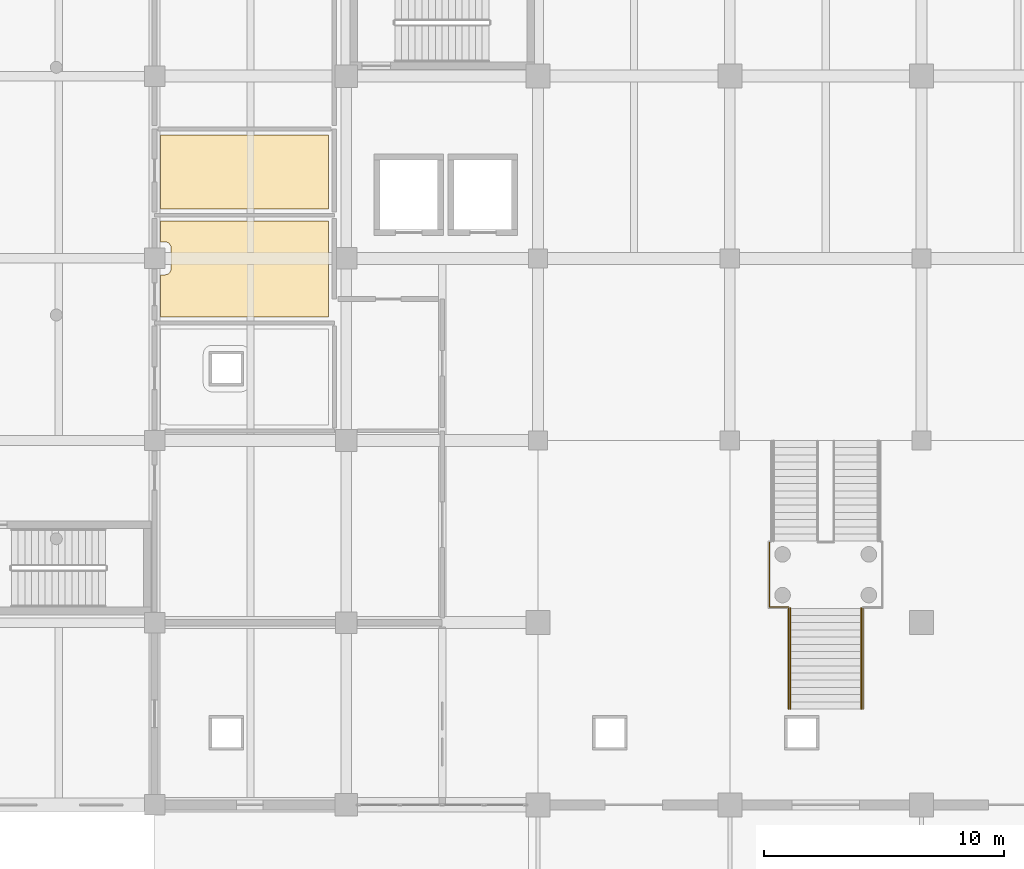
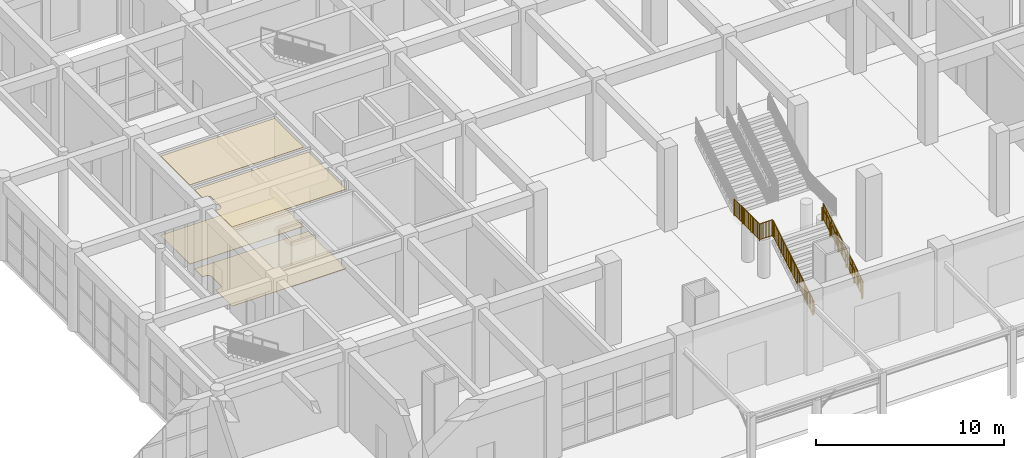
# One storey, part 88 of 95: 5 railings, 4 coverings.
"""IFC4 building model written with IfcOpenShell, lengths in metres."""

import ifcopenshell
import ifcopenshell.guid

model = None  # the IFC model being written
_history = None  # IfcOwnerHistory: only IFC2X3 demands one
_inside = {}  # id of a spatial element -> (the spatial element, [elements in it])
_under = {}  # id of a project, library or spatial element -> (it, [spatial elements below it])
_declared = {}  # id of a project -> (the project, [libraries it declares])
_typed = {}  # id of a type object -> (the type object, [elements of that type])
_made_of = {}  # id of a material, layer set ... -> (it, [elements and type objects made of it])


def new_model(schema):
    """Start an empty IFC model of exactly this schema.

    Asked for "IFC4X3", IfcOpenShell would pick the latest addendum, in which some entities
    have other attributes; the version numbers below select the first issue.
    IFC2X3 requires an IfcOwnerHistory on every rooted entity: one is made here for all.
    """
    global model, _history
    if schema == "IFC4X3":
        model = ifcopenshell.file(schema_version=(4, 3, 0, 0))
    else:
        model = ifcopenshell.file(schema=schema)
    _inside.clear()
    _under.clear()
    _declared.clear()
    _typed.clear()
    _made_of.clear()
    _history = None
    if model.schema == "IFC2X3":
        org = make("IfcOrganization", Name="unknown")
        user = make(
            "IfcPersonAndOrganization",
            ThePerson=make("IfcPerson", FamilyName="unknown"),
            TheOrganization=org,
        )
        app = make(
            "IfcApplication",
            ApplicationDeveloper=org,
            Version="unknown",
            ApplicationFullName="unknown",
            ApplicationIdentifier="unknown",
        )
        _history = make(
            "IfcOwnerHistory",
            OwningUser=user,
            OwningApplication=app,
            ChangeAction="ADDED",
            CreationDate=0,
        )
    return model


def make(cls, **values):
    """One entity of the class cls with the attributes given. An attribute that is None is left unset."""
    return model.create_entity(
        cls, **{name: value for name, value in values.items() if value is not None}
    )


def rooted(cls, **values):
    """An entity with a GlobalId (a new one), such as an element, a storey or a relation."""
    return make(cls, GlobalId=ifcopenshell.guid.new(), OwnerHistory=_history, **values)


def si_unit(unit_type, name, prefix=None):
    """IfcSIUnit, for example si_unit("LENGTHUNIT", "METRE", prefix="MILLI")."""
    return make("IfcSIUnit", UnitType=unit_type, Prefix=prefix, Name=name)


def assignment(units):
    """IfcUnitAssignment: the units of a project."""
    return None if units is None else make("IfcUnitAssignment", Units=units)


def point(xyz):
    """IfcCartesianPoint."""
    return None if xyz is None else make("IfcCartesianPoint", Coordinates=xyz)


def direction(xyz):
    """IfcDirection."""
    return None if xyz is None else make("IfcDirection", DirectionRatios=xyz)


def frame(location, z_axis=None, x_axis=None):
    """IfcAxis2Placement3D, a coordinate frame: its origin and axes. An axis left out is left unset."""
    return make(
        "IfcAxis2Placement3D",
        Location=point(location),
        Axis=direction(z_axis),
        RefDirection=direction(x_axis),
    )


def frame_2d(location, x_axis=None):
    """IfcAxis2Placement2D, a coordinate frame in the plane: its origin and x axis."""
    return make(
        "IfcAxis2Placement2D", Location=point(location), RefDirection=direction(x_axis)
    )


def origin():
    """The frame at (0, 0, 0) with its axes left unset."""
    return frame((0.0, 0.0, 0.0))


def origin_2d():
    """The frame at (0, 0) in the plane with its x axis left unset."""
    return frame_2d((0.0, 0.0))


def place(relative_to, where):
    """IfcLocalPlacement: puts the frame where relative to a parent placement (None: the world)."""
    return make(
        "IfcLocalPlacement", PlacementRelTo=relative_to, RelativePlacement=where
    )


def context(
    kind, dimensions, precision=None, world=None, true_north=None, identifier=None
):
    """IfcGeometricRepresentationContext, for example the 3D "Model" context."""
    return make(
        "IfcGeometricRepresentationContext",
        ContextIdentifier=identifier,
        ContextType=kind,
        CoordinateSpaceDimension=dimensions,
        Precision=precision,
        WorldCoordinateSystem=world,
        TrueNorth=true_north,
    )


def subcontext(parent, identifier, kind, view, scale=None):
    """IfcGeometricRepresentationSubContext, for example "Body" below "Model"."""
    return make(
        "IfcGeometricRepresentationSubContext",
        ContextIdentifier=identifier,
        ContextType=kind,
        ParentContext=parent,
        TargetScale=scale,
        TargetView=view,
    )


def project(units=None, contexts=None):
    """IfcProject with its units and contexts."""
    return rooted(
        "IfcProject",
        Name="project",
        RepresentationContexts=contexts,
        UnitsInContext=assignment(units),
    )


def spatial(cls, under=None, at=None, **own):
    """A site, building, storey or space (cls), placed at a placement, below another one or the project."""
    s = rooted(cls, ObjectPlacement=at, **own)
    if under is not None:
        _under.setdefault(under.id(), (under, []))[1].append(s)
    return s


def polyline(points):
    """IfcPolyline through the points."""
    return make("IfcPolyline", Points=[point(p) for p in points])


def profile(cls, at=None, kind="AREA", **sizes):
    """A parametric profile (cls). Its sizes go by their IFC names, for example OverallWidth=200.0."""
    return make(cls, ProfileType=kind, Position=at, **sizes)


def rectangle(**sizes):
    """IfcRectangleProfileDef."""
    return profile("IfcRectangleProfileDef", **sizes)


def circle(**sizes):
    """IfcCircleProfileDef."""
    return profile("IfcCircleProfileDef", **sizes)


def outline(outer, holes=None, kind="AREA"):
    """IfcArbitraryClosedProfileDef: a profile drawn as a closed curve; with holes, ...WithVoids."""
    if holes is None:
        return make("IfcArbitraryClosedProfileDef", ProfileType=kind, OuterCurve=outer)
    return make(
        "IfcArbitraryProfileDefWithVoids",
        ProfileType=kind,
        OuterCurve=outer,
        InnerCurves=holes,
    )


def extrude(swept, where, along, depth):
    """IfcExtrudedAreaSolid: the profile swept, set in the frame where, extruded along a direction by depth."""
    return make(
        "IfcExtrudedAreaSolid",
        SweptArea=swept,
        Position=where,
        ExtrudedDirection=direction(along),
        Depth=depth,
    )


def shape(context_of_items, identifier, shape_type, items):
    """IfcShapeRepresentation: the items that make up one representation, for example the "Body"."""
    return make(
        "IfcShapeRepresentation",
        ContextOfItems=context_of_items,
        RepresentationIdentifier=identifier,
        RepresentationType=shape_type,
        Items=items,
    )


def material(Name=None, Category=None):
    """IfcMaterial."""
    return make("IfcMaterial", Name=Name, Category=Category)


def layer(
    of_material, thickness, ventilated=None, Name=None, Category=None, Priority=None
):
    """IfcMaterialLayer: one layer of a wall or slab, of a material (None: an air gap)."""
    return make(
        "IfcMaterialLayer",
        Material=of_material,
        LayerThickness=thickness,
        IsVentilated=ventilated,
        Name=Name,
        Category=Category,
        Priority=Priority,
    )


def layer_set(layers, Name=None):
    """IfcMaterialLayerSet."""
    return make("IfcMaterialLayerSet", MaterialLayers=layers, LayerSetName=Name)


def made_of(thing, what):
    """Note that an element or type object is made of a material, layer set ...; save() writes the relation."""
    if what is not None:
        _made_of.setdefault(what.id(), (what, []))[1].append(thing)
    return thing


def type_object(cls, material=None, **own):
    """A type object (cls), such as IfcWallType, which elements share."""
    return made_of(rooted(cls, **own), material)


def element(
    cls,
    number,
    at=None,
    inside=None,
    cuts=None,
    type_object=None,
    material=None,
    context=None,
    identifier="Body",
    shape_type=None,
    held_by="IfcProductDefinitionShape",
    body=None,
    shapes=None,
    **own,
):
    """One element of the class cls, such as IfcWall. Its Tag is "e" and its number.

    at: its placement. inside: the storey or other place that contains it. cuts: it is an
    opening in that element (IfcRelVoidsElement). A single representation is given by context,
    identifier, shape_type and body (its items); several are given by shapes. held_by: the class
    of the entity that holds the representations. save() writes the other relations.
    """
    e = rooted(cls, Tag="e%d" % number, ObjectPlacement=at, **own)
    if body is not None:
        shapes = [shape(context, identifier, shape_type, body)]
    if shapes is not None:
        e.Representation = make(held_by, Representations=shapes)
    if inside is not None:
        _inside.setdefault(inside.id(), (inside, []))[1].append(e)
    if cuts is not None:
        rooted(
            "IfcRelVoidsElement", RelatingBuildingElement=cuts, RelatedOpeningElement=e
        )
    if type_object is not None:
        _typed.setdefault(type_object.id(), (type_object, []))[1].append(e)
    return made_of(e, material)


def aggregate(whole, parts):
    """IfcRelAggregates: a whole, such as a stair, and the parts it consists of."""
    return rooted("IfcRelAggregates", RelatingObject=whole, RelatedObjects=parts)


def save(model, path):
    """Write the relations noted so far, then the file.

    IfcRelAggregates (storeys below a building ...), IfcRelContainedInSpatialStructure (elements
    in a storey), IfcRelDefinesByType, IfcRelAssociatesMaterial and IfcRelDeclares: one each for
    every whole, place, type object, material and project.
    """
    for whole, parts in _under.values():
        aggregate(whole, parts)
    for where, things in _inside.values():
        rooted(
            "IfcRelContainedInSpatialStructure",
            RelatedElements=things,
            RelatingStructure=where,
        )
    for kind, things in _typed.values():
        rooted("IfcRelDefinesByType", RelatedObjects=things, RelatingType=kind)
    for what, things in _made_of.values():
        rooted("IfcRelAssociatesMaterial", RelatedObjects=things, RelatingMaterial=what)
    for by, libraries in _declared.values():
        rooted("IfcRelDeclares", RelatingContext=by, RelatedDefinitions=libraries)
    model.write(path)


model = new_model("IFC4")

# Units and contexts
model_context = context("Model", 3, precision=1e-05, world=origin(), true_north=direction((0.0, 1.0)))
body_context = subcontext(model_context, "Body", "Model", "MODEL_VIEW")
ifc_project = project(units=[si_unit("LENGTHUNIT", "METRE"), si_unit("AREAUNIT", "SQUARE_METRE"), si_unit("VOLUMEUNIT", "CUBIC_METRE"), si_unit("PLANEANGLEUNIT", "RADIAN"), si_unit("MASSUNIT", "GRAM", prefix="KILO")], contexts=[model_context])

# Site, building, storey
site_placement = place(None, origin())
site = spatial("IfcSite", under=ifc_project, at=site_placement, CompositionType="ELEMENT")
building_placement = place(site_placement, origin())
building = spatial("IfcBuilding", under=site, at=building_placement, Name="Zantavel Square City Hall", CompositionType="ELEMENT")
storey_placement = place(building_placement, origin())
storey = spatial("IfcBuildingStorey", under=building, at=storey_placement, Name="L01", CompositionType="ELEMENT", Elevation=0.0)

# Railings
ifc_material_1 = material(Name="Steel ASTM A500 Grade B", Category="steel")
railing_type_1 = type_object("IfcRailingType", Name="Classical Stone & Steel Terrace Balustrade 1100mm", PredefinedType="BALUSTRADE", material=ifc_material_1)
railing_1_placement = place(storey_placement, frame((82.449951171875, 34.39990234375, 0.179931640625)))
element("IfcRailing", 1, at=railing_1_placement, inside=storey, type_object=railing_type_1, Name="Imperial Stair Balustered Guard 01", PredefinedType="BALUSTRADE", context=body_context, shape_type="SweptSolid", body=[
    extrude(circle(Radius=0.02392578125, at=origin_2d()), frame((0.0, 0.0, 1.09619140625), z_axis=(0.0, 0.857501721439, 0.514481095599), x_axis=(-1.0, 0.0, 0.0)), (0.0, 0.0, 1.0), 4.898193359375),
    extrude(rectangle(XDim=0.031982421875, YDim=0.031982421875, at=origin_2d()), frame((0.0, 0.0, 0.080078125), z_axis=(0.0, 0.857501721439, 0.514481095599), x_axis=(-1.0, 0.0, 0.0)), (0.0, 0.0, 1.0), 4.898193359375),
    extrude(rectangle(XDim=0.02197265625, YDim=0.02197265625, at=origin_2d()), frame((0.0, 0.08935546875, 0.133544921875)), (0.0, 0.0, 1.0), 0.991943359375),
    extrude(rectangle(XDim=0.02197265625, YDim=0.02197265625, at=origin_2d()), frame((0.0, 0.1787109375, 0.187255859375)), (0.0, 0.0, 1.0), 0.991943359375),
    extrude(rectangle(XDim=0.02197265625, YDim=0.02197265625, at=origin_2d()), frame((0.0, 0.26806640625, 0.240966796875)), (0.0, 0.0, 1.0), 0.991943359375),
    extrude(rectangle(XDim=0.02197265625, YDim=0.02197265625, at=origin_2d()), frame((0.0, 0.357421875, 0.29443359375)), (0.0, 0.0, 1.0), 0.991943359375),
    extrude(rectangle(XDim=0.02197265625, YDim=0.02197265625, at=origin_2d()), frame((0.0, 0.44677734375, 0.34814453125)), (0.0, 0.0, 1.0), 0.991943359375),
    extrude(rectangle(XDim=0.02197265625, YDim=0.02197265625, at=origin_2d()), frame((0.0, 0.5361328125, 0.401611328125)), (0.0, 0.0, 1.0), 0.991943359375),
    extrude(rectangle(XDim=0.02197265625, YDim=0.02197265625, at=origin_2d()), frame((0.0, 0.62548828125, 0.455322265625)), (0.0, 0.0, 1.0), 0.991943359375),
    extrude(rectangle(XDim=0.02197265625, YDim=0.02197265625, at=origin_2d()), frame((0.0, 0.71484375, 0.509033203125)), (0.0, 0.0, 1.0), 0.991943359375),
    extrude(rectangle(XDim=0.02197265625, YDim=0.02197265625, at=origin_2d()), frame((0.0, 0.8935546875, 0.6162109375)), (0.0, 0.0, 1.0), 0.991943359375),
    extrude(rectangle(XDim=0.02197265625, YDim=0.02197265625, at=origin_2d()), frame((0.0, 0.98291015625, 0.669677734375)), (0.0, 0.0, 1.0), 0.991943359375),
    extrude(rectangle(XDim=0.02197265625, YDim=0.02197265625, at=origin_2d()), frame((0.0, 1.072509765625, 0.723388671875)), (0.0, 0.0, 1.0), 0.991943359375),
    extrude(rectangle(XDim=0.02197265625, YDim=0.02197265625, at=origin_2d()), frame((0.0, 1.161865234375, 0.777099609375)), (0.0, 0.0, 1.0), 0.991943359375),
    extrude(rectangle(XDim=0.02197265625, YDim=0.02197265625, at=origin_2d()), frame((0.0, 1.251220703125, 0.83056640625)), (0.0, 0.0, 1.0), 0.991943359375),
    extrude(rectangle(XDim=0.02197265625, YDim=0.02197265625, at=origin_2d()), frame((0.0, 1.340576171875, 0.88427734375)), (0.0, 0.0, 1.0), 0.991943359375),
    extrude(rectangle(XDim=0.02197265625, YDim=0.02197265625, at=origin_2d()), frame((0.0, 1.429931640625, 0.93798828125)), (0.0, 0.0, 1.0), 0.991943359375),
    extrude(rectangle(XDim=0.02197265625, YDim=0.02197265625, at=origin_2d()), frame((0.0, 1.519287109375, 0.991455078125)), (0.0, 0.0, 1.0), 0.991943359375),
    extrude(rectangle(XDim=0.02197265625, YDim=0.02197265625, at=origin_2d()), frame((0.0, 1.608642578125, 1.045166015625)), (0.0, 0.0, 1.0), 0.991943359375),
    extrude(rectangle(XDim=0.02197265625, YDim=0.02197265625, at=origin_2d()), frame((0.0, 1.787353515625, 1.15234375)), (0.0, 0.0, 1.0), 0.991943359375),
    extrude(rectangle(XDim=0.02197265625, YDim=0.02197265625, at=origin_2d()), frame((0.0, 1.876708984375, 1.2060546875)), (0.0, 0.0, 1.0), 0.991943359375),
    extrude(rectangle(XDim=0.02197265625, YDim=0.02197265625, at=origin_2d()), frame((0.0, 1.966064453125, 1.259521484375)), (0.0, 0.0, 1.0), 0.991943359375),
    extrude(rectangle(XDim=0.02197265625, YDim=0.02197265625, at=origin_2d()), frame((0.0, 2.055419921875, 1.313232421875)), (0.0, 0.0, 1.0), 0.991943359375),
    extrude(rectangle(XDim=0.02197265625, YDim=0.02197265625, at=origin_2d()), frame((0.0, 2.144775390625, 1.36669921875)), (0.0, 0.0, 1.0), 0.991943359375),
    extrude(rectangle(XDim=0.02197265625, YDim=0.02197265625, at=origin_2d()), frame((0.0, 2.234130859375, 1.42041015625)), (0.0, 0.0, 1.0), 0.991943359375),
    extrude(rectangle(XDim=0.02197265625, YDim=0.02197265625, at=origin_2d()), frame((0.0, 2.323486328125, 1.47412109375)), (0.0, 0.0, 1.0), 0.991943359375),
    extrude(rectangle(XDim=0.02197265625, YDim=0.02197265625, at=origin_2d()), frame((0.0, 2.412841796875, 1.527587890625)), (0.0, 0.0, 1.0), 0.991943359375),
    extrude(rectangle(XDim=0.02197265625, YDim=0.02197265625, at=origin_2d()), frame((0.0, 2.591552734375, 1.635009765625)), (0.0, 0.0, 1.0), 0.991943359375),
    extrude(rectangle(XDim=0.02197265625, YDim=0.02197265625, at=origin_2d()), frame((0.0, 2.680908203125, 1.6884765625)), (0.0, 0.0, 1.0), 0.991943359375),
    extrude(rectangle(XDim=0.02197265625, YDim=0.02197265625, at=origin_2d()), frame((0.0, 2.770263671875, 1.7421875)), (0.0, 0.0, 1.0), 0.991943359375),
    extrude(rectangle(XDim=0.02197265625, YDim=0.02197265625, at=origin_2d()), frame((0.0, 2.859619140625, 1.795654296875)), (0.0, 0.0, 1.0), 0.991943359375),
    extrude(rectangle(XDim=0.02197265625, YDim=0.02197265625, at=origin_2d()), frame((0.0, 2.948974609375, 1.849365234375)), (0.0, 0.0, 1.0), 0.991943359375),
    extrude(rectangle(XDim=0.02197265625, YDim=0.02197265625, at=origin_2d()), frame((0.0, 3.038330078125, 1.903076171875)), (0.0, 0.0, 1.0), 0.991943359375),
    extrude(rectangle(XDim=0.02197265625, YDim=0.02197265625, at=origin_2d()), frame((0.0, 3.127685546875, 1.95654296875)), (0.0, 0.0, 1.0), 0.991943359375),
    extrude(rectangle(XDim=0.02197265625, YDim=0.02197265625, at=origin_2d()), frame((0.0, 3.21728515625, 2.01025390625)), (0.0, 0.0, 1.0), 0.991943359375),
    extrude(rectangle(XDim=0.02197265625, YDim=0.02197265625, at=origin_2d()), frame((0.0, 3.306640625, 2.06396484375)), (0.0, 0.0, 1.0), 0.991943359375),
    extrude(rectangle(XDim=0.02197265625, YDim=0.02197265625, at=origin_2d()), frame((0.0, 3.4853515625, 2.171142578125)), (0.0, 0.0, 1.0), 0.991943359375),
    extrude(rectangle(XDim=0.02197265625, YDim=0.02197265625, at=origin_2d()), frame((0.0, 3.57470703125, 2.224609375)), (0.0, 0.0, 1.0), 0.991943359375),
    extrude(rectangle(XDim=0.02197265625, YDim=0.02197265625, at=origin_2d()), frame((0.0, 3.6640625, 2.2783203125)), (0.0, 0.0, 1.0), 0.991943359375),
    extrude(rectangle(XDim=0.02197265625, YDim=0.02197265625, at=origin_2d()), frame((0.0, 3.75341796875, 2.33203125)), (0.0, 0.0, 1.0), 0.991943359375),
    extrude(rectangle(XDim=0.02197265625, YDim=0.02197265625, at=origin_2d()), frame((0.0, 3.8427734375, 2.385498046875)), (0.0, 0.0, 1.0), 0.991943359375),
    extrude(rectangle(XDim=0.02197265625, YDim=0.02197265625, at=origin_2d()), frame((0.0, 3.93212890625, 2.439208984375)), (0.0, 0.0, 1.0), 0.991943359375),
    extrude(rectangle(XDim=0.02197265625, YDim=0.02197265625, at=origin_2d()), frame((0.0, 4.021484375, 2.49267578125)), (0.0, 0.0, 1.0), 0.991943359375),
    extrude(rectangle(XDim=0.02197265625, YDim=0.02197265625, at=origin_2d()), frame((0.0, 4.11083984375, 2.54638671875)), (0.0, 0.0, 1.0), 0.991943359375),
    extrude(circle(Radius=0.02099609375, at=origin_2d()), origin(), (0.0, 0.0, 1.0), 1.072021484375),
    extrude(circle(Radius=0.02099609375, at=origin_2d()), frame((0.0, 0.840087890625, 0.50390625)), (0.0, 0.0, 1.0), 1.072021484375),
    extrude(circle(Radius=0.02099609375, at=origin_2d()), frame((0.0, 1.68017578125, 1.008056640625)), (0.0, 0.0, 1.0), 1.072021484375),
    extrude(circle(Radius=0.02099609375, at=origin_2d()), frame((0.0, 2.52001953125, 1.511962890625)), (0.0, 0.0, 1.0), 1.072021484375),
    extrude(circle(Radius=0.02099609375, at=origin_2d()), frame((0.0, 3.360107421875, 2.01611328125)), (0.0, 0.0, 1.0), 1.072021484375),
    extrude(circle(Radius=0.02099609375, at=origin_2d()), frame((0.0, 4.2001953125, 2.52001953125)), (0.0, 0.0, 1.0), 1.072021484375),
])
railing_2_placement = place(storey_placement, frame((85.550048828125, 34.39990234375, 0.179931640625)))
element("IfcRailing", 2, at=railing_2_placement, inside=storey, type_object=railing_type_1, Name="Imperial Stair Balustered Guard 02", PredefinedType="BALUSTRADE", context=body_context, shape_type="SweptSolid", body=[
    extrude(circle(Radius=0.02392578125, at=origin_2d()), frame((0.0, 0.0, 1.09619140625), z_axis=(0.0, 0.857501721439, 0.514481095599), x_axis=(-1.0, 0.0, 0.0)), (0.0, 0.0, 1.0), 4.898193359375),
    extrude(rectangle(XDim=0.031982421875, YDim=0.031982421875, at=origin_2d()), frame((0.0, 0.0, 0.080078125), z_axis=(0.0, 0.857501721439, 0.514481095599), x_axis=(-1.0, 0.0, 0.0)), (0.0, 0.0, 1.0), 4.898193359375),
    extrude(rectangle(XDim=0.02197265625, YDim=0.02197265625, at=origin_2d()), frame((0.0, 0.08935546875, 0.133544921875)), (0.0, 0.0, 1.0), 0.991943359375),
    extrude(rectangle(XDim=0.02197265625, YDim=0.02197265625, at=origin_2d()), frame((0.0, 0.1787109375, 0.187255859375)), (0.0, 0.0, 1.0), 0.991943359375),
    extrude(rectangle(XDim=0.02197265625, YDim=0.02197265625, at=origin_2d()), frame((0.0, 0.26806640625, 0.240966796875)), (0.0, 0.0, 1.0), 0.991943359375),
    extrude(rectangle(XDim=0.02197265625, YDim=0.02197265625, at=origin_2d()), frame((0.0, 0.357421875, 0.29443359375)), (0.0, 0.0, 1.0), 0.991943359375),
    extrude(rectangle(XDim=0.02197265625, YDim=0.02197265625, at=origin_2d()), frame((0.0, 0.44677734375, 0.34814453125)), (0.0, 0.0, 1.0), 0.991943359375),
    extrude(rectangle(XDim=0.02197265625, YDim=0.02197265625, at=origin_2d()), frame((0.0, 0.5361328125, 0.401611328125)), (0.0, 0.0, 1.0), 0.991943359375),
    extrude(rectangle(XDim=0.02197265625, YDim=0.02197265625, at=origin_2d()), frame((0.0, 0.62548828125, 0.455322265625)), (0.0, 0.0, 1.0), 0.991943359375),
    extrude(rectangle(XDim=0.02197265625, YDim=0.02197265625, at=origin_2d()), frame((0.0, 0.71484375, 0.509033203125)), (0.0, 0.0, 1.0), 0.991943359375),
    extrude(rectangle(XDim=0.02197265625, YDim=0.02197265625, at=origin_2d()), frame((0.0, 0.8935546875, 0.6162109375)), (0.0, 0.0, 1.0), 0.991943359375),
    extrude(rectangle(XDim=0.02197265625, YDim=0.02197265625, at=origin_2d()), frame((0.0, 0.98291015625, 0.669677734375)), (0.0, 0.0, 1.0), 0.991943359375),
    extrude(rectangle(XDim=0.02197265625, YDim=0.02197265625, at=origin_2d()), frame((0.0, 1.072509765625, 0.723388671875)), (0.0, 0.0, 1.0), 0.991943359375),
    extrude(rectangle(XDim=0.02197265625, YDim=0.02197265625, at=origin_2d()), frame((0.0, 1.161865234375, 0.777099609375)), (0.0, 0.0, 1.0), 0.991943359375),
    extrude(rectangle(XDim=0.02197265625, YDim=0.02197265625, at=origin_2d()), frame((0.0, 1.251220703125, 0.83056640625)), (0.0, 0.0, 1.0), 0.991943359375),
    extrude(rectangle(XDim=0.02197265625, YDim=0.02197265625, at=origin_2d()), frame((0.0, 1.340576171875, 0.88427734375)), (0.0, 0.0, 1.0), 0.991943359375),
    extrude(rectangle(XDim=0.02197265625, YDim=0.02197265625, at=origin_2d()), frame((0.0, 1.429931640625, 0.93798828125)), (0.0, 0.0, 1.0), 0.991943359375),
    extrude(rectangle(XDim=0.02197265625, YDim=0.02197265625, at=origin_2d()), frame((0.0, 1.519287109375, 0.991455078125)), (0.0, 0.0, 1.0), 0.991943359375),
    extrude(rectangle(XDim=0.02197265625, YDim=0.02197265625, at=origin_2d()), frame((0.0, 1.608642578125, 1.045166015625)), (0.0, 0.0, 1.0), 0.991943359375),
    extrude(rectangle(XDim=0.02197265625, YDim=0.02197265625, at=origin_2d()), frame((0.0, 1.787353515625, 1.15234375)), (0.0, 0.0, 1.0), 0.991943359375),
    extrude(rectangle(XDim=0.02197265625, YDim=0.02197265625, at=origin_2d()), frame((0.0, 1.876708984375, 1.2060546875)), (0.0, 0.0, 1.0), 0.991943359375),
    extrude(rectangle(XDim=0.02197265625, YDim=0.02197265625, at=origin_2d()), frame((0.0, 1.966064453125, 1.259521484375)), (0.0, 0.0, 1.0), 0.991943359375),
    extrude(rectangle(XDim=0.02197265625, YDim=0.02197265625, at=origin_2d()), frame((0.0, 2.055419921875, 1.313232421875)), (0.0, 0.0, 1.0), 0.991943359375),
    extrude(rectangle(XDim=0.02197265625, YDim=0.02197265625, at=origin_2d()), frame((0.0, 2.144775390625, 1.36669921875)), (0.0, 0.0, 1.0), 0.991943359375),
    extrude(rectangle(XDim=0.02197265625, YDim=0.02197265625, at=origin_2d()), frame((0.0, 2.234130859375, 1.42041015625)), (0.0, 0.0, 1.0), 0.991943359375),
    extrude(rectangle(XDim=0.02197265625, YDim=0.02197265625, at=origin_2d()), frame((0.0, 2.323486328125, 1.47412109375)), (0.0, 0.0, 1.0), 0.991943359375),
    extrude(rectangle(XDim=0.02197265625, YDim=0.02197265625, at=origin_2d()), frame((0.0, 2.412841796875, 1.527587890625)), (0.0, 0.0, 1.0), 0.991943359375),
    extrude(rectangle(XDim=0.02197265625, YDim=0.02197265625, at=origin_2d()), frame((0.0, 2.591552734375, 1.635009765625)), (0.0, 0.0, 1.0), 0.991943359375),
    extrude(rectangle(XDim=0.02197265625, YDim=0.02197265625, at=origin_2d()), frame((0.0, 2.680908203125, 1.6884765625)), (0.0, 0.0, 1.0), 0.991943359375),
    extrude(rectangle(XDim=0.02197265625, YDim=0.02197265625, at=origin_2d()), frame((0.0, 2.770263671875, 1.7421875)), (0.0, 0.0, 1.0), 0.991943359375),
    extrude(rectangle(XDim=0.02197265625, YDim=0.02197265625, at=origin_2d()), frame((0.0, 2.859619140625, 1.795654296875)), (0.0, 0.0, 1.0), 0.991943359375),
    extrude(rectangle(XDim=0.02197265625, YDim=0.02197265625, at=origin_2d()), frame((0.0, 2.948974609375, 1.849365234375)), (0.0, 0.0, 1.0), 0.991943359375),
    extrude(rectangle(XDim=0.02197265625, YDim=0.02197265625, at=origin_2d()), frame((0.0, 3.038330078125, 1.903076171875)), (0.0, 0.0, 1.0), 0.991943359375),
    extrude(rectangle(XDim=0.02197265625, YDim=0.02197265625, at=origin_2d()), frame((0.0, 3.127685546875, 1.95654296875)), (0.0, 0.0, 1.0), 0.991943359375),
    extrude(rectangle(XDim=0.02197265625, YDim=0.02197265625, at=origin_2d()), frame((0.0, 3.21728515625, 2.01025390625)), (0.0, 0.0, 1.0), 0.991943359375),
    extrude(rectangle(XDim=0.02197265625, YDim=0.02197265625, at=origin_2d()), frame((0.0, 3.306640625, 2.06396484375)), (0.0, 0.0, 1.0), 0.991943359375),
    extrude(rectangle(XDim=0.02197265625, YDim=0.02197265625, at=origin_2d()), frame((0.0, 3.4853515625, 2.171142578125)), (0.0, 0.0, 1.0), 0.991943359375),
    extrude(rectangle(XDim=0.02197265625, YDim=0.02197265625, at=origin_2d()), frame((0.0, 3.57470703125, 2.224609375)), (0.0, 0.0, 1.0), 0.991943359375),
    extrude(rectangle(XDim=0.02197265625, YDim=0.02197265625, at=origin_2d()), frame((0.0, 3.6640625, 2.2783203125)), (0.0, 0.0, 1.0), 0.991943359375),
    extrude(rectangle(XDim=0.02197265625, YDim=0.02197265625, at=origin_2d()), frame((0.0, 3.75341796875, 2.33203125)), (0.0, 0.0, 1.0), 0.991943359375),
    extrude(rectangle(XDim=0.02197265625, YDim=0.02197265625, at=origin_2d()), frame((0.0, 3.8427734375, 2.385498046875)), (0.0, 0.0, 1.0), 0.991943359375),
    extrude(rectangle(XDim=0.02197265625, YDim=0.02197265625, at=origin_2d()), frame((0.0, 3.93212890625, 2.439208984375)), (0.0, 0.0, 1.0), 0.991943359375),
    extrude(rectangle(XDim=0.02197265625, YDim=0.02197265625, at=origin_2d()), frame((0.0, 4.021484375, 2.49267578125)), (0.0, 0.0, 1.0), 0.991943359375),
    extrude(rectangle(XDim=0.02197265625, YDim=0.02197265625, at=origin_2d()), frame((0.0, 4.11083984375, 2.54638671875)), (0.0, 0.0, 1.0), 0.991943359375),
    extrude(circle(Radius=0.02099609375, at=origin_2d()), origin(), (0.0, 0.0, 1.0), 1.072021484375),
    extrude(circle(Radius=0.02099609375, at=origin_2d()), frame((0.0, 0.840087890625, 0.50390625)), (0.0, 0.0, 1.0), 1.072021484375),
    extrude(circle(Radius=0.02099609375, at=origin_2d()), frame((0.0, 1.68017578125, 1.008056640625)), (0.0, 0.0, 1.0), 1.072021484375),
    extrude(circle(Radius=0.02099609375, at=origin_2d()), frame((0.0, 2.52001953125, 1.511962890625)), (0.0, 0.0, 1.0), 1.072021484375),
    extrude(circle(Radius=0.02099609375, at=origin_2d()), frame((0.0, 3.360107421875, 2.01611328125)), (0.0, 0.0, 1.0), 1.072021484375),
    extrude(circle(Radius=0.02099609375, at=origin_2d()), frame((0.0, 4.2001953125, 2.52001953125)), (0.0, 0.0, 1.0), 1.072021484375),
])
railing_3_placement = place(storey_placement, frame((82.449951171875, 38.64990234375, 2.699951171875)))
element("IfcRailing", 3, at=railing_3_placement, inside=storey, type_object=railing_type_1, Name="Imperial Stair Balustered Guard 03", PredefinedType="BALUSTRADE", context=body_context, shape_type="SweptSolid", body=[
    extrude(circle(Radius=0.02392578125, at=origin_2d()), frame((0.0, 0.0, 1.09619140625), z_axis=(-1.0, 0.0, 0.0), x_axis=(0.0, -1.0, 0.0)), (0.0, 0.0, 1.0), 0.800048828125),
    extrude(rectangle(XDim=0.031982421875, YDim=0.031982421875, at=origin_2d()), frame((0.0, 0.0, 0.080078125), z_axis=(-1.0, 0.0, 0.0), x_axis=(0.0, -1.0, 0.0)), (0.0, 0.0, 1.0), 0.800048828125),
    extrude(rectangle(XDim=0.02197265625, YDim=0.02197265625, at=origin_2d()), frame((-0.0888671875, 0.0, 0.080078125)), (0.0, 0.0, 1.0), 0.991943359375),
    extrude(rectangle(XDim=0.02197265625, YDim=0.02197265625, at=origin_2d()), frame((-0.177734375, 0.0, 0.080078125)), (0.0, 0.0, 1.0), 0.991943359375),
    extrude(rectangle(XDim=0.02197265625, YDim=0.02197265625, at=origin_2d()), frame((-0.2666015625, 0.0, 0.080078125)), (0.0, 0.0, 1.0), 0.991943359375),
    extrude(rectangle(XDim=0.02197265625, YDim=0.02197265625, at=origin_2d()), frame((-0.35546875, 0.0, 0.080078125)), (0.0, 0.0, 1.0), 0.991943359375),
    extrude(rectangle(XDim=0.02197265625, YDim=0.02197265625, at=origin_2d()), frame((-0.444580078125, 0.0, 0.080078125)), (0.0, 0.0, 1.0), 0.991943359375),
    extrude(rectangle(XDim=0.02197265625, YDim=0.02197265625, at=origin_2d()), frame((-0.533447265625, 0.0, 0.080078125)), (0.0, 0.0, 1.0), 0.991943359375),
    extrude(rectangle(XDim=0.02197265625, YDim=0.02197265625, at=origin_2d()), frame((-0.622314453125, 0.0, 0.080078125)), (0.0, 0.0, 1.0), 0.991943359375),
    extrude(rectangle(XDim=0.02197265625, YDim=0.02197265625, at=origin_2d()), frame((-0.711181640625, 0.0, 0.080078125)), (0.0, 0.0, 1.0), 0.991943359375),
    extrude(circle(Radius=0.02392578125, at=origin_2d()), frame((-0.800048828125, 0.0, 1.09619140625), z_axis=(0.0, 1.0, 0.0), x_axis=(-1.0, 0.0, 0.0)), (0.0, 0.0, 1.0), 2.7001953125),
    extrude(rectangle(XDim=0.031982421875, YDim=0.031982421875, at=origin_2d()), frame((-0.800048828125, 0.0, 0.080078125), z_axis=(0.0, 1.0, 0.0), x_axis=(-1.0, 0.0, 0.0)), (0.0, 0.0, 1.0), 2.7001953125),
    extrude(rectangle(XDim=0.02197265625, YDim=0.02197265625, at=origin_2d()), frame((-0.800048828125, 0.087158203125, 0.080078125)), (0.0, 0.0, 1.0), 0.991943359375),
    extrude(rectangle(XDim=0.02197265625, YDim=0.02197265625, at=origin_2d()), frame((-0.800048828125, 0.17431640625, 0.080078125)), (0.0, 0.0, 1.0), 0.991943359375),
    extrude(rectangle(XDim=0.02197265625, YDim=0.02197265625, at=origin_2d()), frame((-0.800048828125, 0.26123046875, 0.080078125)), (0.0, 0.0, 1.0), 0.991943359375),
    extrude(rectangle(XDim=0.02197265625, YDim=0.02197265625, at=origin_2d()), frame((-0.800048828125, 0.348388671875, 0.080078125)), (0.0, 0.0, 1.0), 0.991943359375),
    extrude(rectangle(XDim=0.02197265625, YDim=0.02197265625, at=origin_2d()), frame((-0.800048828125, 0.435546875, 0.080078125)), (0.0, 0.0, 1.0), 0.991943359375),
    extrude(rectangle(XDim=0.02197265625, YDim=0.02197265625, at=origin_2d()), frame((-0.800048828125, 0.522705078125, 0.080078125)), (0.0, 0.0, 1.0), 0.991943359375),
    extrude(rectangle(XDim=0.02197265625, YDim=0.02197265625, at=origin_2d()), frame((-0.800048828125, 0.609619140625, 0.080078125)), (0.0, 0.0, 1.0), 0.991943359375),
    extrude(rectangle(XDim=0.02197265625, YDim=0.02197265625, at=origin_2d()), frame((-0.800048828125, 0.69677734375, 0.080078125)), (0.0, 0.0, 1.0), 0.991943359375),
    extrude(rectangle(XDim=0.02197265625, YDim=0.02197265625, at=origin_2d()), frame((-0.800048828125, 0.783935546875, 0.080078125)), (0.0, 0.0, 1.0), 0.991943359375),
    extrude(rectangle(XDim=0.02197265625, YDim=0.02197265625, at=origin_2d()), frame((-0.800048828125, 0.958251953125, 0.080078125)), (0.0, 0.0, 1.0), 0.991943359375),
    extrude(rectangle(XDim=0.02197265625, YDim=0.02197265625, at=origin_2d()), frame((-0.800048828125, 1.045166015625, 0.080078125)), (0.0, 0.0, 1.0), 0.991943359375),
    extrude(rectangle(XDim=0.02197265625, YDim=0.02197265625, at=origin_2d()), frame((-0.800048828125, 1.13232421875, 0.080078125)), (0.0, 0.0, 1.0), 0.991943359375),
    extrude(rectangle(XDim=0.02197265625, YDim=0.02197265625, at=origin_2d()), frame((-0.800048828125, 1.219482421875, 0.080078125)), (0.0, 0.0, 1.0), 0.991943359375),
    extrude(rectangle(XDim=0.02197265625, YDim=0.02197265625, at=origin_2d()), frame((-0.800048828125, 1.306640625, 0.080078125)), (0.0, 0.0, 1.0), 0.991943359375),
    extrude(rectangle(XDim=0.02197265625, YDim=0.02197265625, at=origin_2d()), frame((-0.800048828125, 1.3935546875, 0.080078125)), (0.0, 0.0, 1.0), 0.991943359375),
    extrude(rectangle(XDim=0.02197265625, YDim=0.02197265625, at=origin_2d()), frame((-0.800048828125, 1.480712890625, 0.080078125)), (0.0, 0.0, 1.0), 0.991943359375),
    extrude(rectangle(XDim=0.02197265625, YDim=0.02197265625, at=origin_2d()), frame((-0.800048828125, 1.56787109375, 0.080078125)), (0.0, 0.0, 1.0), 0.991943359375),
    extrude(rectangle(XDim=0.02197265625, YDim=0.02197265625, at=origin_2d()), frame((-0.800048828125, 1.655029296875, 0.080078125)), (0.0, 0.0, 1.0), 0.991943359375),
    extrude(rectangle(XDim=0.02197265625, YDim=0.02197265625, at=origin_2d()), frame((-0.800048828125, 1.741943359375, 0.080078125)), (0.0, 0.0, 1.0), 0.991943359375),
    extrude(rectangle(XDim=0.02197265625, YDim=0.02197265625, at=origin_2d()), frame((-0.800048828125, 1.916259765625, 0.080078125)), (0.0, 0.0, 1.0), 0.991943359375),
    extrude(rectangle(XDim=0.02197265625, YDim=0.02197265625, at=origin_2d()), frame((-0.800048828125, 2.00341796875, 0.080078125)), (0.0, 0.0, 1.0), 0.991943359375),
    extrude(rectangle(XDim=0.02197265625, YDim=0.02197265625, at=origin_2d()), frame((-0.800048828125, 2.090576171875, 0.080078125)), (0.0, 0.0, 1.0), 0.991943359375),
    extrude(rectangle(XDim=0.02197265625, YDim=0.02197265625, at=origin_2d()), frame((-0.800048828125, 2.177490234375, 0.080078125)), (0.0, 0.0, 1.0), 0.991943359375),
    extrude(rectangle(XDim=0.02197265625, YDim=0.02197265625, at=origin_2d()), frame((-0.800048828125, 2.2646484375, 0.080078125)), (0.0, 0.0, 1.0), 0.991943359375),
    extrude(rectangle(XDim=0.02197265625, YDim=0.02197265625, at=origin_2d()), frame((-0.800048828125, 2.351806640625, 0.080078125)), (0.0, 0.0, 1.0), 0.991943359375),
    extrude(rectangle(XDim=0.02197265625, YDim=0.02197265625, at=origin_2d()), frame((-0.800048828125, 2.43896484375, 0.080078125)), (0.0, 0.0, 1.0), 0.991943359375),
    extrude(rectangle(XDim=0.02197265625, YDim=0.02197265625, at=origin_2d()), frame((-0.800048828125, 2.52587890625, 0.080078125)), (0.0, 0.0, 1.0), 0.991943359375),
    extrude(rectangle(XDim=0.02197265625, YDim=0.02197265625, at=origin_2d()), frame((-0.800048828125, 2.613037109375, 0.080078125)), (0.0, 0.0, 1.0), 0.991943359375),
    extrude(circle(Radius=0.02099609375, at=origin_2d()), origin(), (0.0, 0.0, 1.0), 1.072021484375),
    extrude(circle(Radius=0.02099609375, at=origin_2d()), frame((-0.800048828125, 0.0, 0.0)), (0.0, 0.0, 1.0), 1.072021484375),
    extrude(circle(Radius=0.02099609375, at=origin_2d()), frame((-0.800048828125, 0.900146484375, 0.0)), (0.0, 0.0, 1.0), 1.072021484375),
    extrude(circle(Radius=0.02099609375, at=origin_2d()), frame((-0.800048828125, 1.800048828125, 0.0)), (0.0, 0.0, 1.0), 1.072021484375),
    extrude(circle(Radius=0.02099609375, at=origin_2d()), frame((-0.800048828125, 2.7001953125, 0.0)), (0.0, 0.0, 1.0), 1.072021484375),
])

# Coverings
ifc_material_2 = material(Name="Terrazzo stone finish", Category="masonry")
ifc_layer_1 = layer(ifc_material_2, 0.02001953125, Name="Terrazzo stone finish")
ifc_layer_set_1 = layer_set([ifc_layer_1], Name="Terrazzo stone finish")
covering_type_1 = type_object("IfcCoveringType", Name="Honed Cantera-Terrazzo Civic Flooring 20mm", PredefinedType="FLOORING", material=ifc_layer_set_1)
covering_1_placement = place(storey_placement, origin())
element("IfcCovering", 4, at=covering_1_placement, inside=storey, type_object=covering_type_1, Name="L01 L01 West Womens Restroom Terrazzo Flooring", PredefinedType="FLOORING", context=body_context, shape_type="SweptSolid", body=[
    extrude(outline(polyline([(56.25, 52.514892578125), (56.43505859375, 52.514892578125), (56.45947265625, 52.51611328125), (56.48388671875, 52.519775390625), (56.507568359375, 52.52587890625), (56.53076171875, 52.533935546875), (56.552734375, 52.54443359375), (56.573974609375, 52.55712890625), (56.593505859375, 52.57177734375), (56.61181640625, 52.588134765625), (56.62841796875, 52.6064453125), (56.642822265625, 52.626220703125), (56.655517578125, 52.647216796875), (56.666015625, 52.669189453125), (56.67431640625, 52.6923828125), (56.68017578125, 52.71630859375), (56.683837890625, 52.740478515625), (56.68505859375, 52.764892578125), (56.68505859375, 53.635009765625), (56.683837890625, 53.659423828125), (56.68017578125, 53.683837890625), (56.67431640625, 53.70751953125), (56.666015625, 53.730712890625), (56.655517578125, 53.752685546875), (56.642822265625, 53.77392578125), (56.62841796875, 53.793701171875), (56.61181640625, 53.811767578125), (56.593505859375, 53.828369140625), (56.573974609375, 53.843017578125), (56.552734375, 53.85546875), (56.53076171875, 53.865966796875), (56.507568359375, 53.874267578125), (56.48388671875, 53.880126953125), (56.45947265625, 53.8837890625), (56.43505859375, 53.885009765625), (56.25, 53.885009765625), (56.25, 54.75), (63.25, 54.75), (63.25, 50.75), (56.25, 50.75), (56.25, 52.514892578125)])), origin(), (0.0, 0.0, 1.0), 0.02001953125),
])
covering_2_placement = place(storey_placement, origin())
element("IfcCovering", 5, at=covering_2_placement, inside=storey, type_object=covering_type_1, Name="L01 L01 West Accessible WC Terrazzo Flooring", PredefinedType="FLOORING", context=body_context, shape_type="SweptSolid", body=[
    extrude(outline(polyline([(56.25, 58.35009765625), (63.25, 58.35009765625), (63.25, 55.25), (56.25, 55.25), (56.25, 58.35009765625)])), origin(), (0.0, 0.0, 1.0), 0.02001953125),
])
ifc_material_3 = material(Name="Gypsum acoustic stud assembly", Category="masonry")
ifc_layer_2 = layer(ifc_material_3, 0.02490234375, Name="Gypsum acoustic stud assembly")
ifc_layer_set_2 = layer_set([ifc_layer_2], Name="Gypsum acoustic stud assembly")
covering_type_2 = type_object("IfcCoveringType", Name="Perforated Gypsum Acoustic Ceiling 25mm", PredefinedType="CEILING", material=ifc_layer_set_2)
covering_3_placement = place(storey_placement, frame((0.0, 0.0, 5.135009765625)))
element("IfcCovering", 6, at=covering_3_placement, inside=storey, type_object=covering_type_2, Name="L01 L01 West Womens Restroom Acoustic Ceiling", PredefinedType="CEILING", context=body_context, shape_type="SweptSolid", body=[
    extrude(outline(polyline([(56.25, 52.514892578125), (56.43505859375, 52.514892578125), (56.45947265625, 52.51611328125), (56.48388671875, 52.519775390625), (56.507568359375, 52.52587890625), (56.53076171875, 52.533935546875), (56.552734375, 52.54443359375), (56.573974609375, 52.55712890625), (56.593505859375, 52.57177734375), (56.61181640625, 52.588134765625), (56.62841796875, 52.6064453125), (56.642822265625, 52.626220703125), (56.655517578125, 52.647216796875), (56.666015625, 52.669189453125), (56.67431640625, 52.6923828125), (56.68017578125, 52.71630859375), (56.683837890625, 52.740478515625), (56.68505859375, 52.764892578125), (56.68505859375, 53.635009765625), (56.683837890625, 53.659423828125), (56.68017578125, 53.683837890625), (56.67431640625, 53.70751953125), (56.666015625, 53.730712890625), (56.655517578125, 53.752685546875), (56.642822265625, 53.77392578125), (56.62841796875, 53.793701171875), (56.61181640625, 53.811767578125), (56.593505859375, 53.828369140625), (56.573974609375, 53.843017578125), (56.552734375, 53.85546875), (56.53076171875, 53.865966796875), (56.507568359375, 53.874267578125), (56.48388671875, 53.880126953125), (56.45947265625, 53.8837890625), (56.43505859375, 53.885009765625), (56.25, 53.885009765625), (56.25, 54.75), (63.25, 54.75), (63.25, 50.75), (56.25, 50.75), (56.25, 52.514892578125)])), origin(), (0.0, 0.0, 1.0), 0.02490234375),
])
covering_4_placement = place(storey_placement, frame((0.0, 0.0, 5.135009765625)))
element("IfcCovering", 7, at=covering_4_placement, inside=storey, type_object=covering_type_2, Name="L01 L01 West Accessible WC Acoustic Ceiling", PredefinedType="CEILING", context=body_context, shape_type="SweptSolid", body=[
    extrude(outline(polyline([(56.25, 58.35009765625), (63.25, 58.35009765625), (63.25, 55.25), (56.25, 55.25), (56.25, 58.35009765625)])), origin(), (0.0, 0.0, 1.0), 0.02490234375),
])

# Railings
ifc_material_4 = material(Name="Stainless steel 316", Category="steel")
railing_type_2 = type_object("IfcRailingType", Name="Stair Stainless Steel Handrail 900mm", PredefinedType="HANDRAIL", material=ifc_material_4)
for number, where, name in (
    (8, (82.52001953125, 34.39990234375, 0.179931640625), "Imperial Stair Handrail 01"),
    (9, (85.47998046875, 34.39990234375, 0.179931640625), "Imperial Stair Handrail 02"),
):
    element("IfcRailing", number, at=place(storey_placement, frame(where)), inside=storey, type_object=railing_type_2, Name=name, PredefinedType="HANDRAIL", context=body_context, shape_type="SweptSolid", body=[
        extrude(circle(Radius=0.02392578125, at=origin_2d()), frame((0.0, 0.0, 0.8759765625), z_axis=(0.0, 0.857501721439, 0.514481095599), x_axis=(-1.0, 0.0, 0.0)), (0.0, 0.0, 1.0), 4.898193359375),
        extrude(circle(Radius=0.02099609375, at=origin_2d()), origin(), (0.0, 0.0, 1.0), 0.851806640625),
        extrude(circle(Radius=0.02099609375, at=origin_2d()), frame((0.0, 0.840087890625, 0.50390625)), (0.0, 0.0, 1.0), 0.851806640625),
        extrude(circle(Radius=0.02099609375, at=origin_2d()), frame((0.0, 1.68017578125, 1.008056640625)), (0.0, 0.0, 1.0), 0.851806640625),
        extrude(circle(Radius=0.02099609375, at=origin_2d()), frame((0.0, 2.52001953125, 1.511962890625)), (0.0, 0.0, 1.0), 0.851806640625),
        extrude(circle(Radius=0.02099609375, at=origin_2d()), frame((0.0, 3.360107421875, 2.01611328125)), (0.0, 0.0, 1.0), 0.851806640625),
        extrude(circle(Radius=0.02099609375, at=origin_2d()), frame((0.0, 4.2001953125, 2.52001953125)), (0.0, 0.0, 1.0), 0.851806640625),
    ])

save(model, "model.ifc")
